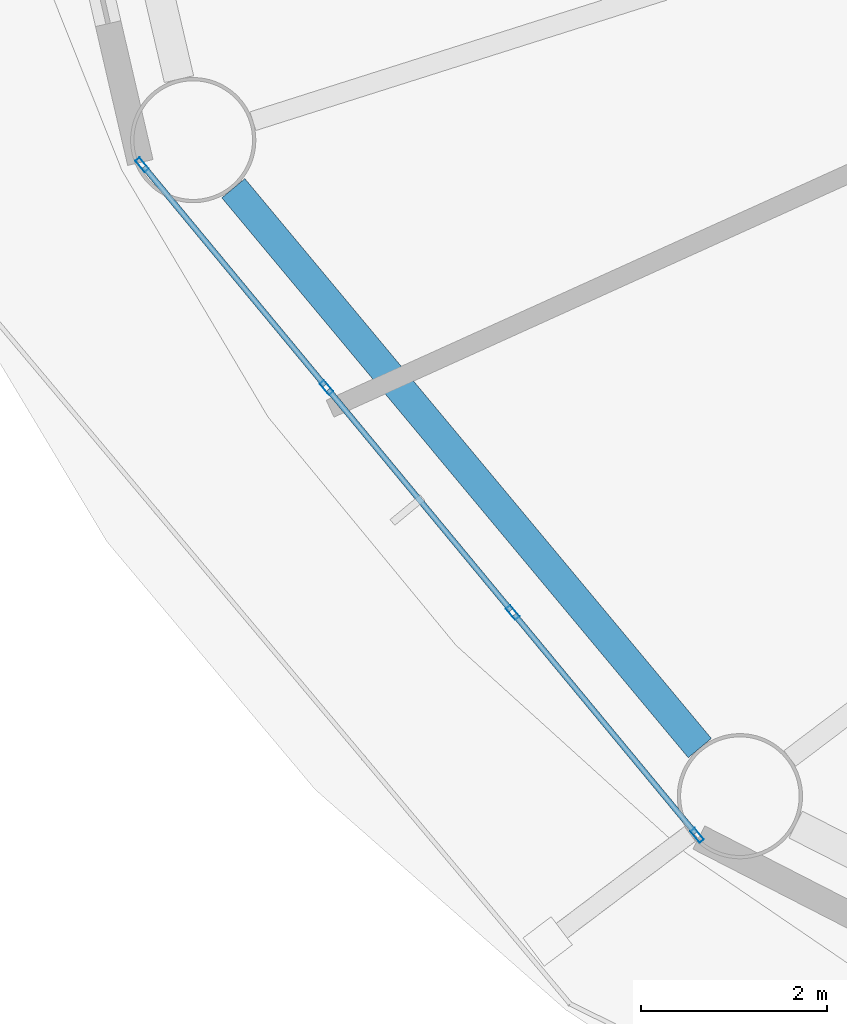
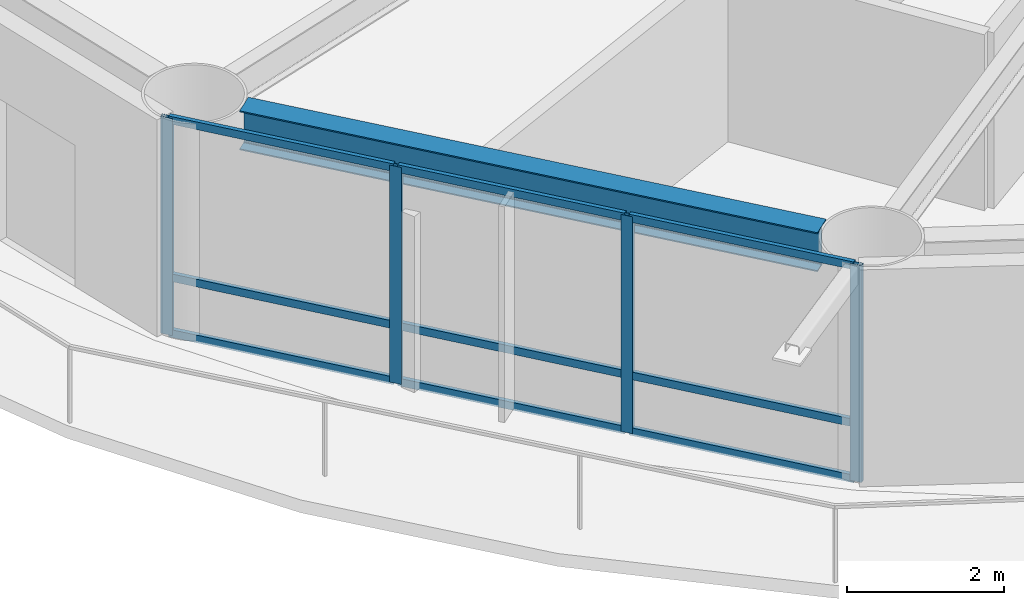
# One storey, part 2 of 24: 13 members, 1 beam, 1 element without a shape of its own.
"""IFC4 building model written with IfcOpenShell, lengths in metres."""

from ifc_helpers import new_model, si_unit, direction, frame, origin, origin_2d, place, context, subcontext, project, spatial, hollow_rectangle, i_section, extrude, material, layer, layer_set, material_profile, profile_set, type_object, element, aggregate, save


model = new_model("IFC4")

# Units and contexts
model_context = context("Model", 3, precision=1e-05, world=origin(), true_north=direction((0.0, 1.0)))
body_context = subcontext(model_context, "Body", "Model", "MODEL_VIEW")
ifc_project = project(units=[si_unit("LENGTHUNIT", "METRE"), si_unit("AREAUNIT", "SQUARE_METRE"), si_unit("VOLUMEUNIT", "CUBIC_METRE"), si_unit("PLANEANGLEUNIT", "RADIAN"), si_unit("MASSUNIT", "GRAM", prefix="KILO")], contexts=[model_context])

# Site, building, storey
site_placement = place(None, origin())
site = spatial("IfcSite", under=ifc_project, at=site_placement, CompositionType="ELEMENT")
building_placement = place(site_placement, origin())
building = spatial("IfcBuilding", under=site, at=building_placement, Name="Sarneth Arch Tower", CompositionType="ELEMENT")
storey_placement = place(building_placement, frame((0.0, 0.0, 123.60009765625)))
storey = spatial("IfcBuildingStorey", under=building, at=storey_placement, Name="L31", CompositionType="ELEMENT", Elevation=123.60009765625)

# Beam
ifc_material_1 = material(Name="Steel S355", Category="steel")
ifc_material_profile_1 = material_profile(ifc_material_1, i_section(OverallWidth=0.323974609375, OverallDepth=0.611083984375, WebThickness=0.0126953125, FlangeThickness=0.01904296875, FilletRadius=0.01904296875, at=origin_2d()), Name="W610x155")
ifc_profile_set_1 = profile_set([ifc_material_profile_1], Name="Steel S355")
beam_type = type_object("IfcBeamType", Name="BM-SPAN-610B", PredefinedType="SPANDREL", material=ifc_profile_set_1)
beam_placement = place(storey_placement, frame((22.140869140625, 33.138916015625, 3.074462890625), z_axis=(0.640169116175, -0.768234015581, 0.0), x_axis=(0.768234015581, 0.640169116175, 0.0)))
element("IfcBeam", 1, at=beam_placement, inside=storey, type_object=beam_type, Name="L31 Perimeter spandrel beam 10", PredefinedType="SPANDREL", context=body_context, shape_type="SweptSolid", body=[
    extrude(i_section(OverallWidth=0.323974609375, OverallDepth=0.611083984375, WebThickness=0.0126953125, FlangeThickness=0.01904296875, FilletRadius=0.01904296875, at=origin_2d()), origin(), (0.0, 0.0, 1.0), 7.856201171875),
])

# Curtain wall, members
ifc_material_2 = material(Name="Anodised aluminium Type AA25 and solar-control low-e laminated IGU", Category="aluminium")
ifc_layer = layer(ifc_material_2, 0.159912109375)
ifc_layer_set = layer_set([ifc_layer], Name="Anodised aluminium Type AA25 and solar-control low-e laminated IGU")
curtain_wall_type = type_object("IfcCurtainWallType", Name="CW-HOTEL-MID", PredefinedType="NOTDEFINED", material=ifc_layer_set)
curtain_wall_placement = place(storey_placement, origin())
curtain_wall = element("IfcCurtainWall", 2, at=curtain_wall_placement, inside=storey, type_object=curtain_wall_type, Name="L31 Unitised curtain wall facet 10", PredefinedType="NOTDEFINED")
ifc_material_3 = material(Name="Anodised Aluminium 6063-T6", Category="aluminium")
ifc_material_profile_2 = material_profile(ifc_material_3, hollow_rectangle(XDim=0.06005859375, YDim=0.159912109375, WallThickness=0.00390625, at=origin_2d()), Name="AL-MULL-160x60x4")
ifc_profile_set_2 = profile_set([ifc_material_profile_2], Name="Anodised Aluminium 6063-T6")
member_type_1 = type_object("IfcMemberType", Name="CW-MULLION", PredefinedType="MULLION", material=ifc_profile_set_2)
member_1_placement = place(storey_placement, frame((21.15771484375, 33.393310546875, 0.0), z_axis=(0.0, 0.0, 1.0), x_axis=(0.770437787363, 0.637515188684, 0.0)))
member_1 = element("IfcMember", 3, at=member_1_placement, type_object=member_type_1, Name="CW-SYS-4 mullion 1", PredefinedType="MULLION", context=body_context, shape_type="SweptSolid", body=[
    extrude(hollow_rectangle(XDim=0.06005859375, YDim=0.159912109375, WallThickness=0.00390625, at=origin_2d()), origin(), (0.0, 0.0, 1.0), 3.3798828125),
])
member_2_placement = place(storey_placement, frame((23.145751953125, 30.99072265625, 0.0), z_axis=(0.0, 0.0, 1.0), x_axis=(0.770437787363, 0.637515188684, 0.0)))
member_2 = element("IfcMember", 4, at=member_2_placement, type_object=member_type_1, Name="CW-SYS-4 mullion 2", PredefinedType="MULLION", context=body_context, shape_type="SweptSolid", body=[
    extrude(hollow_rectangle(XDim=0.06005859375, YDim=0.159912109375, WallThickness=0.00390625, at=origin_2d()), origin(), (0.0, 0.0, 1.0), 3.3798828125),
])
member_3_placement = place(storey_placement, frame((25.15283203125, 28.565185546875, 0.0), z_axis=(0.0, 0.0, 1.0), x_axis=(0.770437787363, 0.637515188684, 0.0)))
member_3 = element("IfcMember", 5, at=member_3_placement, type_object=member_type_1, Name="CW-SYS-4 mullion 3", PredefinedType="MULLION", context=body_context, shape_type="SweptSolid", body=[
    extrude(hollow_rectangle(XDim=0.06005859375, YDim=0.159912109375, WallThickness=0.00390625, at=origin_2d()), origin(), (0.0, 0.0, 1.0), 3.3798828125),
])
member_4_placement = place(storey_placement, frame((27.140869140625, 26.16259765625, 0.0), z_axis=(0.0, 0.0, 1.0), x_axis=(0.770437787363, 0.637515188684, 0.0)))
member_4 = element("IfcMember", 6, at=member_4_placement, type_object=member_type_1, Name="CW-SYS-4 mullion 4", PredefinedType="MULLION", context=body_context, shape_type="SweptSolid", body=[
    extrude(hollow_rectangle(XDim=0.06005859375, YDim=0.159912109375, WallThickness=0.00390625, at=origin_2d()), origin(), (0.0, 0.0, 1.0), 3.3798828125),
])
ifc_material_4 = material(Name="Anodised Aluminium 6063-T6", Category="aluminium")
ifc_material_profile_3 = material_profile(ifc_material_4, hollow_rectangle(XDim=0.06005859375, YDim=0.1201171875, WallThickness=0.00390625, at=origin_2d()), Name="AL-TRAN-120x60x4")
ifc_profile_set_3 = profile_set([ifc_material_profile_3], Name="Anodised Aluminium 6063-T6")
member_type_2 = type_object("IfcMemberType", Name="CW-TRANSOM", PredefinedType="USERDEFINED", material=ifc_profile_set_3)
member_5_placement = place(storey_placement, frame((21.1767578125, 33.3701171875, 0.02978515625), z_axis=(0.637566080343, -0.770395673142, 0.0), x_axis=(0.770395673142, 0.637566080343, 0.0)))
member_5 = element("IfcMember", 7, at=member_5_placement, type_object=member_type_2, Name="CW-SYS-4 transom 1.1", ObjectType="TRANSOM", PredefinedType="USERDEFINED", context=body_context, shape_type="SweptSolid", body=[
    extrude(hollow_rectangle(XDim=0.06005859375, YDim=0.1201171875, WallThickness=0.00390625, at=origin_2d()), origin(), (0.0, 0.0, 1.0), 3.058349609375),
])
member_6_placement = place(storey_placement, frame((21.1767578125, 33.3701171875, 0.89990234375), z_axis=(0.637566080343, -0.770395673142, 0.0), x_axis=(0.770395673142, 0.637566080343, 0.0)))
member_6 = element("IfcMember", 8, at=member_6_placement, type_object=member_type_2, Name="CW-SYS-4 transom 1.2", ObjectType="TRANSOM", PredefinedType="USERDEFINED", context=body_context, shape_type="SweptSolid", body=[
    extrude(hollow_rectangle(XDim=0.06005859375, YDim=0.1201171875, WallThickness=0.00390625, at=origin_2d()), origin(), (0.0, 0.0, 1.0), 3.058349609375),
])
member_7_placement = place(storey_placement, frame((21.1767578125, 33.3701171875, 3.349853515625), z_axis=(0.637566080343, -0.770395673142, 0.0), x_axis=(0.770395673142, 0.637566080343, 0.0)))
member_7 = element("IfcMember", 9, at=member_7_placement, type_object=member_type_2, Name="CW-SYS-4 transom 1.3", ObjectType="TRANSOM", PredefinedType="USERDEFINED", context=body_context, shape_type="SweptSolid", body=[
    extrude(hollow_rectangle(XDim=0.06005859375, YDim=0.1201171875, WallThickness=0.00390625, at=origin_2d()), origin(), (0.0, 0.0, 1.0), 3.058349609375),
])
member_8_placement = place(storey_placement, frame((23.164794921875, 30.9677734375, 0.02978515625), z_axis=(0.637536975021, -0.770419759275, 0.0), x_axis=(0.770419759275, 0.637536975021, 0.0)))
member_8 = element("IfcMember", 10, at=member_8_placement, type_object=member_type_2, Name="CW-SYS-4 transom 2.1", ObjectType="TRANSOM", PredefinedType="USERDEFINED", context=body_context, shape_type="SweptSolid", body=[
    extrude(hollow_rectangle(XDim=0.06005859375, YDim=0.1201171875, WallThickness=0.00390625, at=origin_2d()), origin(), (0.0, 0.0, 1.0), 3.08837890625),
])
member_9_placement = place(storey_placement, frame((23.164794921875, 30.9677734375, 0.89990234375), z_axis=(0.637536975021, -0.770419759275, 0.0), x_axis=(0.770419759275, 0.637536975021, 0.0)))
member_9 = element("IfcMember", 11, at=member_9_placement, type_object=member_type_2, Name="CW-SYS-4 transom 2.2", ObjectType="TRANSOM", PredefinedType="USERDEFINED", context=body_context, shape_type="SweptSolid", body=[
    extrude(hollow_rectangle(XDim=0.06005859375, YDim=0.1201171875, WallThickness=0.00390625, at=origin_2d()), origin(), (0.0, 0.0, 1.0), 3.08837890625),
])
member_10_placement = place(storey_placement, frame((23.164794921875, 30.9677734375, 3.349853515625), z_axis=(0.637536975021, -0.770419759275, 0.0), x_axis=(0.770419759275, 0.637536975021, 0.0)))
member_10 = element("IfcMember", 12, at=member_10_placement, type_object=member_type_2, Name="CW-SYS-4 transom 2.3", ObjectType="TRANSOM", PredefinedType="USERDEFINED", context=body_context, shape_type="SweptSolid", body=[
    extrude(hollow_rectangle(XDim=0.06005859375, YDim=0.1201171875, WallThickness=0.00390625, at=origin_2d()), origin(), (0.0, 0.0, 1.0), 3.08837890625),
])
member_11_placement = place(storey_placement, frame((25.171875, 28.5419921875, 0.02978515625), z_axis=(0.637566080343, -0.770395673142, 0.0), x_axis=(0.770395673142, 0.637566080343, 0.0)))
member_11 = element("IfcMember", 13, at=member_11_placement, type_object=member_type_2, Name="CW-SYS-4 transom 3.1", ObjectType="TRANSOM", PredefinedType="USERDEFINED", context=body_context, shape_type="SweptSolid", body=[
    extrude(hollow_rectangle(XDim=0.06005859375, YDim=0.1201171875, WallThickness=0.00390625, at=origin_2d()), origin(), (0.0, 0.0, 1.0), 3.058349609375),
])
member_12_placement = place(storey_placement, frame((25.171875, 28.5419921875, 0.89990234375), z_axis=(0.637566080343, -0.770395673142, 0.0), x_axis=(0.770395673142, 0.637566080343, 0.0)))
member_12 = element("IfcMember", 14, at=member_12_placement, type_object=member_type_2, Name="CW-SYS-4 transom 3.2", ObjectType="TRANSOM", PredefinedType="USERDEFINED", context=body_context, shape_type="SweptSolid", body=[
    extrude(hollow_rectangle(XDim=0.06005859375, YDim=0.1201171875, WallThickness=0.00390625, at=origin_2d()), origin(), (0.0, 0.0, 1.0), 3.058349609375),
])
member_13_placement = place(storey_placement, frame((25.171875, 28.5419921875, 3.349853515625), z_axis=(0.637566080343, -0.770395673142, 0.0), x_axis=(0.770395673142, 0.637566080343, 0.0)))
member_13 = element("IfcMember", 15, at=member_13_placement, type_object=member_type_2, Name="CW-SYS-4 transom 3.3", ObjectType="TRANSOM", PredefinedType="USERDEFINED", context=body_context, shape_type="SweptSolid", body=[
    extrude(hollow_rectangle(XDim=0.06005859375, YDim=0.1201171875, WallThickness=0.00390625, at=origin_2d()), origin(), (0.0, 0.0, 1.0), 3.058349609375),
])
aggregate(curtain_wall, [member_1, member_2, member_3, member_4, member_5, member_6, member_7, member_8, member_9, member_10, member_11, member_12, member_13])

save(model, "model.ifc")
